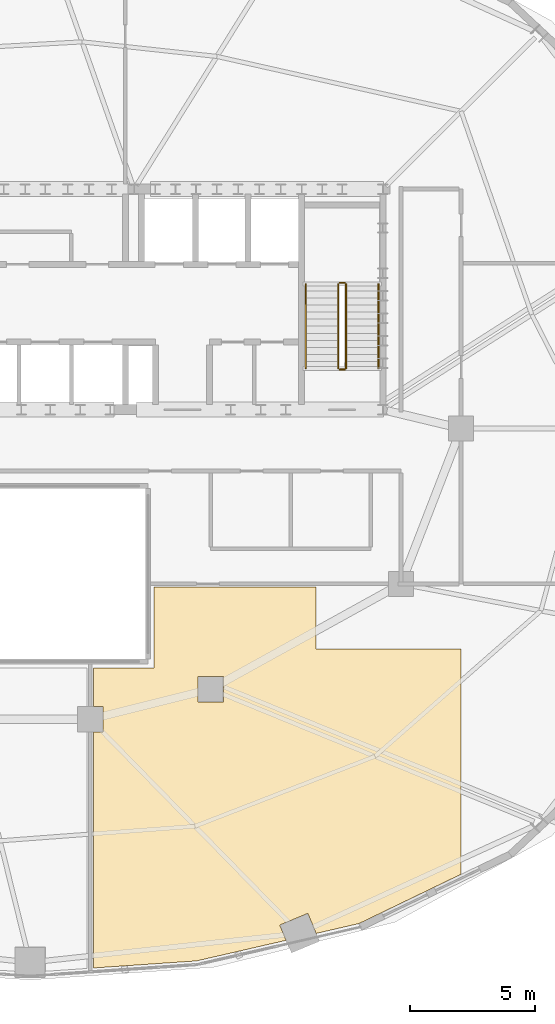
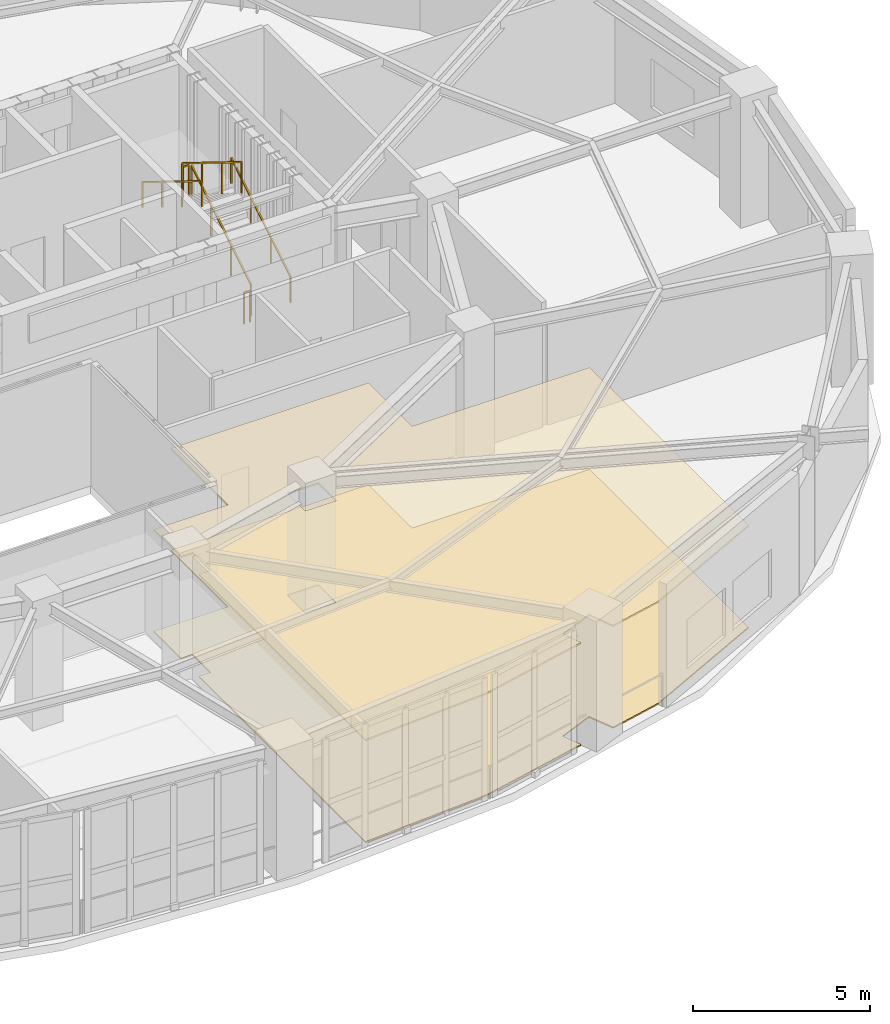
# One storey, part 15 of 16: 6 railings, 2 coverings.
"""IFC4 building model written with IfcOpenShell, lengths in metres."""

from ifc_helpers import new_model, si_unit, direction, frame, origin, origin_2d, place, context, subcontext, project, spatial, polyline, rectangle, outline, extrude, material, layer, layer_set, type_object, element, save


model = new_model("IFC4")

# Units and contexts
model_context = context("Model", 3, precision=1e-05, world=origin(), true_north=direction((0.0, 1.0)))
body_context = subcontext(model_context, "Body", "Model", "MODEL_VIEW")
ifc_project = project(units=[si_unit("LENGTHUNIT", "METRE"), si_unit("AREAUNIT", "SQUARE_METRE"), si_unit("VOLUMEUNIT", "CUBIC_METRE"), si_unit("PLANEANGLEUNIT", "RADIAN"), si_unit("MASSUNIT", "GRAM", prefix="KILO")], contexts=[model_context])

# Site, building, storey
site_placement = place(None, origin())
site = spatial("IfcSite", under=ifc_project, at=site_placement, CompositionType="ELEMENT")
building_placement = place(site_placement, origin())
building = spatial("IfcBuilding", under=site, at=building_placement, Name="Haldorwick Loom Tower", CompositionType="ELEMENT")
storey_placement = place(building_placement, frame((0.0, 0.0, 200.35009765625)))
storey = spatial("IfcBuildingStorey", under=building, at=storey_placement, Name="L54", CompositionType="ELEMENT", Elevation=200.35009765625)

# Coverings
ifc_material_1 = material(Name="Mineral Fibre Acoustic Ceiling Tile")
ifc_layer_1 = layer(ifc_material_1, 0.054931640625, Name="Mineral Fibre Acoustic Ceiling Tile")
ifc_layer_set_1 = layer_set([ifc_layer_1], Name="Mineral Fibre Acoustic Ceiling Tile")
covering_type_1 = type_object("IfcCoveringType", Name="ARC-COV-CEIL2", PredefinedType="CEILING", material=ifc_layer_set_1)
covering_1_placement = place(storey_placement, frame((0.0, 0.0, 3.5087890625)))
element("IfcCovering", 1, at=covering_1_placement, inside=storey, type_object=covering_type_1, Name="L54 Acoustic Suspended Ceiling 2", PredefinedType="CEILING", context=body_context, shape_type="SweptSolid", body=[
    extrude(outline(polyline([(53.199951171875, 8.217041015625), (53.199951171875, 17.199951171875), (47.39990234375, 17.199951171875), (47.39990234375, 19.669921875), (40.949951171875, 19.669921875), (40.949951171875, 16.449951171875), (38.530029296875, 16.449951171875), (38.530029296875, 14.907958984375), (38.907958984375, 14.907958984375), (38.907958984375, 13.89208984375), (38.530029296875, 13.89208984375), (38.530029296875, 4.47412109375), (42.64404296875, 4.756591796875), (46.212158203125, 5.577392578125), (45.958984375, 6.1884765625), (47.08251953125, 6.65380859375), (47.413818359375, 5.853759765625), (49.123046875, 6.246826171875), (53.199951171875, 8.217041015625)]), holes=[polyline([(43.7080078125, 16.10791015625), (43.7080078125, 15.092041015625), (42.69189453125, 15.092041015625), (42.69189453125, 16.10791015625), (43.7080078125, 16.10791015625)])]), origin(), (0.0, 0.0, 1.0), 0.05517578125),
])
ifc_material_2 = material(Name="Polished Aggregate Terrazzo Finish")
ifc_layer_2 = layer(ifc_material_2, 0.044921875, Name="Polished Aggregate Terrazzo Finish")
ifc_layer_set_2 = layer_set([ifc_layer_2], Name="Polished Aggregate Terrazzo Finish")
covering_type_2 = type_object("IfcCoveringType", Name="ARC-COV-FLOOR2", PredefinedType="FLOORING", material=ifc_layer_set_2)
covering_2_placement = place(storey_placement, origin())
element("IfcCovering", 2, at=covering_2_placement, inside=storey, type_object=covering_type_2, Name="L54 Floor Finish 2", PredefinedType="FLOORING", context=body_context, shape_type="SweptSolid", body=[
    extrude(outline(polyline([(53.199951171875, 8.217041015625), (53.199951171875, 17.199951171875), (47.39990234375, 17.199951171875), (47.39990234375, 19.669921875), (40.949951171875, 19.669921875), (40.949951171875, 16.449951171875), (38.530029296875, 16.449951171875), (38.530029296875, 14.907958984375), (38.907958984375, 14.907958984375), (38.907958984375, 13.89208984375), (38.530029296875, 13.89208984375), (38.530029296875, 4.47412109375), (42.64404296875, 4.756591796875), (46.212158203125, 5.577392578125), (45.958984375, 6.1884765625), (47.08251953125, 6.65380859375), (47.413818359375, 5.853759765625), (49.123046875, 6.246826171875), (53.199951171875, 8.217041015625)]), holes=[polyline([(43.7080078125, 16.10791015625), (43.7080078125, 15.092041015625), (42.69189453125, 15.092041015625), (42.69189453125, 16.10791015625), (43.7080078125, 16.10791015625)])]), origin(), (0.0, 0.0, 1.0), 0.044921875),
])

# Railings
ifc_material_3 = material(Name="Steel CSA G40.21 350W", Category="steel")
railing_type_1 = type_object("IfcRailingType", Name="ARC-RLG-GUARD112", PredefinedType="GUARDRAIL", material=ifc_material_3)
railing_1_placement = place(storey_placement, frame((48.60009765625, 28.39990234375, 0.173095703125)))
element("IfcRailing", 3, at=railing_1_placement, inside=storey, type_object=railing_type_1, Name="L54 ST-02 stair guard 1", PredefinedType="GUARDRAIL", context=body_context, shape_type="SweptSolid", body=[
    extrude(rectangle(XDim=0.048095703125, YDim=0.048095703125, at=origin_2d()), frame((0.0, 0.0, 1.076171875), z_axis=(0.0, 0.850623216509, 0.525775754039), x_axis=(-1.0, 0.0, 0.0)), (0.0, 0.0, 1.0), 3.9501953125),
    extrude(rectangle(XDim=0.0419921875, YDim=0.0419921875, at=origin_2d()), origin(), (0.0, 0.0, 1.0), 1.052001953125),
    extrude(rectangle(XDim=0.0419921875, YDim=0.0419921875, at=origin_2d()), frame((0.0, 1.1201171875, 0.6923828125)), (0.0, 0.0, 1.0), 1.052001953125),
    extrude(rectangle(XDim=0.0419921875, YDim=0.0419921875, at=origin_2d()), frame((0.0, 2.239990234375, 1.384521484375)), (0.0, 0.0, 1.0), 1.052001953125),
    extrude(rectangle(XDim=0.0419921875, YDim=0.0419921875, at=origin_2d()), frame((0.0, 3.360107421875, 2.076904296875)), (0.0, 0.0, 1.0), 1.052001953125),
])
railing_2_placement = place(storey_placement, frame((48.550048828125, 31.81005859375, 2.25)))
element("IfcRailing", 4, at=railing_2_placement, inside=storey, type_object=railing_type_1, Name="L54 ST-02 stair guard 2", PredefinedType="GUARDRAIL", context=body_context, shape_type="SweptSolid", body=[
    extrude(rectangle(XDim=0.048095703125, YDim=0.048095703125, at=origin_2d()), frame((0.0, 0.0, 1.076171875), z_axis=(-1.0, 0.0, 0.0), x_axis=(0.0, -1.0, 0.0)), (0.0, 0.0, 1.0), 0.199951171875),
    extrude(rectangle(XDim=0.0419921875, YDim=0.0419921875, at=origin_2d()), origin(), (0.0, 0.0, 1.0), 1.052001953125),
    extrude(rectangle(XDim=0.0419921875, YDim=0.0419921875, at=origin_2d()), frame((-0.199951171875, 0.0, 0.0)), (0.0, 0.0, 1.0), 1.052001953125),
])
railing_3_placement = place(storey_placement, frame((48.300048828125, 31.760009765625, 2.423095703125)))
element("IfcRailing", 5, at=railing_3_placement, inside=storey, type_object=railing_type_1, Name="L54 ST-02 stair guard 3", PredefinedType="GUARDRAIL", context=body_context, shape_type="SweptSolid", body=[
    extrude(rectangle(XDim=0.048095703125, YDim=0.048095703125, at=origin_2d()), frame((0.0, 0.0, 1.076171875), z_axis=(0.0, -0.850623216509, 0.525775754039), x_axis=(1.0, 0.0, 0.0)), (0.0, 0.0, 1.0), 3.9501953125),
    extrude(rectangle(XDim=0.0419921875, YDim=0.0419921875, at=origin_2d()), origin(), (0.0, 0.0, 1.0), 1.052001953125),
    extrude(rectangle(XDim=0.0419921875, YDim=0.0419921875, at=origin_2d()), frame((0.0, -1.1201171875, 0.6923828125)), (0.0, 0.0, 1.0), 1.052001953125),
    extrude(rectangle(XDim=0.0419921875, YDim=0.0419921875, at=origin_2d()), frame((0.0, -2.239990234375, 1.384521484375)), (0.0, 0.0, 1.0), 1.052001953125),
    extrude(rectangle(XDim=0.0419921875, YDim=0.0419921875, at=origin_2d()), frame((0.0, -3.360107421875, 2.076904296875)), (0.0, 0.0, 1.0), 1.052001953125),
])
railing_4_placement = place(storey_placement, frame((48.550048828125, 28.35009765625, 0.0)))
element("IfcRailing", 6, at=railing_4_placement, inside=storey, type_object=railing_type_1, Name="L54 ST-02 stair guard 4", PredefinedType="GUARDRAIL", context=body_context, shape_type="SweptSolid", body=[
    extrude(rectangle(XDim=0.048095703125, YDim=0.048095703125, at=origin_2d()), frame((0.0, 0.0, 1.076171875), z_axis=(-1.0, 0.0, 0.0), x_axis=(0.0, -1.0, 0.0)), (0.0, 0.0, 1.0), 0.199951171875),
    extrude(rectangle(XDim=0.0419921875, YDim=0.0419921875, at=origin_2d()), origin(), (0.0, 0.0, 1.0), 1.052001953125),
    extrude(rectangle(XDim=0.0419921875, YDim=0.0419921875, at=origin_2d()), frame((-0.199951171875, 0.0, 0.0)), (0.0, 0.0, 1.0), 1.052001953125),
])
railing_type_2 = type_object("IfcRailingType", Name="ARC-RLG-HAND092", PredefinedType="HANDRAIL", material=ifc_material_3)
railing_5_placement = place(storey_placement, frame((49.89990234375, 28.39990234375, 0.173095703125)))
element("IfcRailing", 7, at=railing_5_placement, inside=storey, type_object=railing_type_2, Name="L54 ST-02 stair handrail 1", PredefinedType="HANDRAIL", context=body_context, shape_type="SweptSolid", body=[
    extrude(rectangle(XDim=0.048095703125, YDim=0.048095703125, at=origin_2d()), frame((0.0, 0.0, 0.8759765625), z_axis=(0.0, 0.850623216509, 0.525775754039), x_axis=(-1.0, 0.0, 0.0)), (0.0, 0.0, 1.0), 3.9501953125),
    extrude(rectangle(XDim=0.0419921875, YDim=0.0419921875, at=origin_2d()), origin(), (0.0, 0.0, 1.0), 0.851806640625),
    extrude(rectangle(XDim=0.0419921875, YDim=0.0419921875, at=origin_2d()), frame((0.0, 1.1201171875, 0.6923828125)), (0.0, 0.0, 1.0), 0.851806640625),
    extrude(rectangle(XDim=0.0419921875, YDim=0.0419921875, at=origin_2d()), frame((0.0, 2.239990234375, 1.384521484375)), (0.0, 0.0, 1.0), 0.851806640625),
    extrude(rectangle(XDim=0.0419921875, YDim=0.0419921875, at=origin_2d()), frame((0.0, 3.360107421875, 2.076904296875)), (0.0, 0.0, 1.0), 0.851806640625),
])
railing_6_placement = place(storey_placement, frame((47.0, 31.760009765625, 2.423095703125)))
element("IfcRailing", 8, at=railing_6_placement, inside=storey, type_object=railing_type_2, Name="L54 ST-02 stair handrail 2", PredefinedType="HANDRAIL", context=body_context, shape_type="SweptSolid", body=[
    extrude(rectangle(XDim=0.048095703125, YDim=0.048095703125, at=origin_2d()), frame((0.0, 0.0, 0.8759765625), z_axis=(0.0, -0.850623216509, 0.525775754039), x_axis=(1.0, 0.0, 0.0)), (0.0, 0.0, 1.0), 3.9501953125),
    extrude(rectangle(XDim=0.0419921875, YDim=0.0419921875, at=origin_2d()), origin(), (0.0, 0.0, 1.0), 0.851806640625),
    extrude(rectangle(XDim=0.0419921875, YDim=0.0419921875, at=origin_2d()), frame((0.0, -1.1201171875, 0.6923828125)), (0.0, 0.0, 1.0), 0.851806640625),
    extrude(rectangle(XDim=0.0419921875, YDim=0.0419921875, at=origin_2d()), frame((0.0, -2.239990234375, 1.384521484375)), (0.0, 0.0, 1.0), 0.851806640625),
    extrude(rectangle(XDim=0.0419921875, YDim=0.0419921875, at=origin_2d()), frame((0.0, -3.360107421875, 2.076904296875)), (0.0, 0.0, 1.0), 0.851806640625),
])

save(model, "model.ifc")
